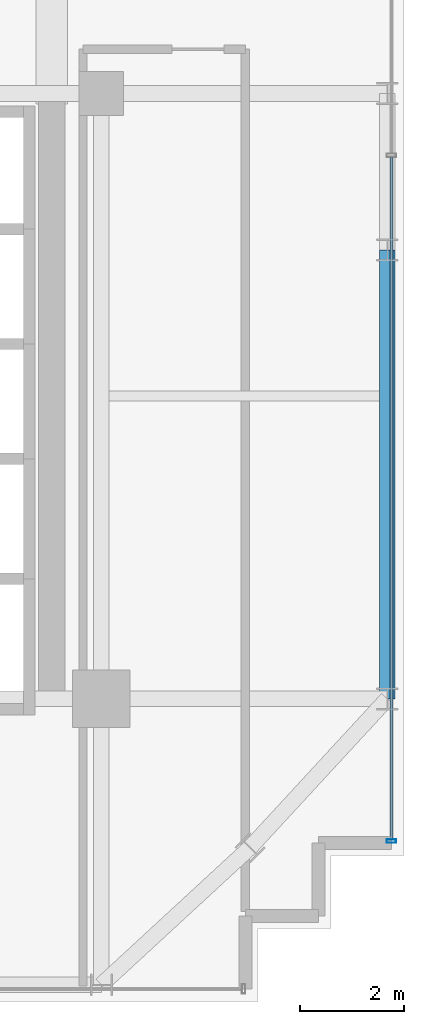
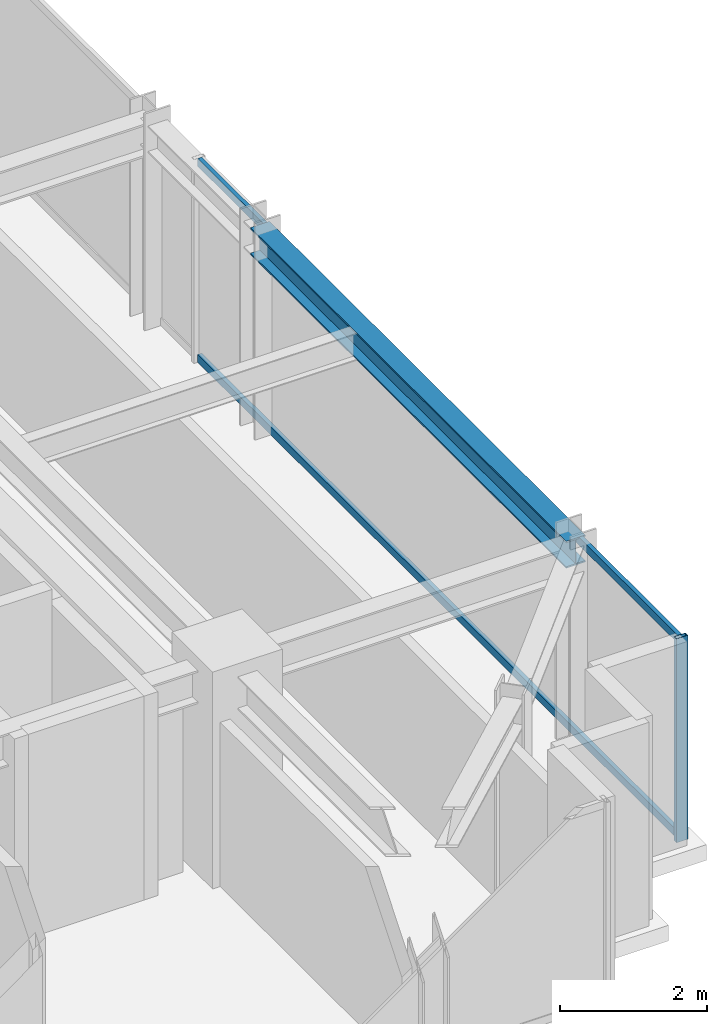
# One storey, part 14 of 31: 3 members, 1 beam, 1 element without a shape of its own.
"""IFC4 building model written with IfcOpenShell, lengths in metres."""

import ifcopenshell
import ifcopenshell.guid

model = None  # the IFC model being written
_history = None  # IfcOwnerHistory: only IFC2X3 demands one
_inside = {}  # id of a spatial element -> (the spatial element, [elements in it])
_under = {}  # id of a project, library or spatial element -> (it, [spatial elements below it])
_declared = {}  # id of a project -> (the project, [libraries it declares])
_typed = {}  # id of a type object -> (the type object, [elements of that type])
_made_of = {}  # id of a material, layer set ... -> (it, [elements and type objects made of it])


def new_model(schema):
    """Start an empty IFC model of exactly this schema.

    Asked for "IFC4X3", IfcOpenShell would pick the latest addendum, in which some entities
    have other attributes; the version numbers below select the first issue.
    IFC2X3 requires an IfcOwnerHistory on every rooted entity: one is made here for all.
    """
    global model, _history
    if schema == "IFC4X3":
        model = ifcopenshell.file(schema_version=(4, 3, 0, 0))
    else:
        model = ifcopenshell.file(schema=schema)
    _inside.clear()
    _under.clear()
    _declared.clear()
    _typed.clear()
    _made_of.clear()
    _history = None
    if model.schema == "IFC2X3":
        org = make("IfcOrganization", Name="unknown")
        user = make(
            "IfcPersonAndOrganization",
            ThePerson=make("IfcPerson", FamilyName="unknown"),
            TheOrganization=org,
        )
        app = make(
            "IfcApplication",
            ApplicationDeveloper=org,
            Version="unknown",
            ApplicationFullName="unknown",
            ApplicationIdentifier="unknown",
        )
        _history = make(
            "IfcOwnerHistory",
            OwningUser=user,
            OwningApplication=app,
            ChangeAction="ADDED",
            CreationDate=0,
        )
    return model


def make(cls, **values):
    """One entity of the class cls with the attributes given. An attribute that is None is left unset."""
    return model.create_entity(
        cls, **{name: value for name, value in values.items() if value is not None}
    )


def rooted(cls, **values):
    """An entity with a GlobalId (a new one), such as an element, a storey or a relation."""
    return make(cls, GlobalId=ifcopenshell.guid.new(), OwnerHistory=_history, **values)


def si_unit(unit_type, name, prefix=None):
    """IfcSIUnit, for example si_unit("LENGTHUNIT", "METRE", prefix="MILLI")."""
    return make("IfcSIUnit", UnitType=unit_type, Prefix=prefix, Name=name)


def assignment(units):
    """IfcUnitAssignment: the units of a project."""
    return None if units is None else make("IfcUnitAssignment", Units=units)


def point(xyz):
    """IfcCartesianPoint."""
    return None if xyz is None else make("IfcCartesianPoint", Coordinates=xyz)


def direction(xyz):
    """IfcDirection."""
    return None if xyz is None else make("IfcDirection", DirectionRatios=xyz)


def frame(location, z_axis=None, x_axis=None):
    """IfcAxis2Placement3D, a coordinate frame: its origin and axes. An axis left out is left unset."""
    return make(
        "IfcAxis2Placement3D",
        Location=point(location),
        Axis=direction(z_axis),
        RefDirection=direction(x_axis),
    )


def frame_2d(location, x_axis=None):
    """IfcAxis2Placement2D, a coordinate frame in the plane: its origin and x axis."""
    return make(
        "IfcAxis2Placement2D", Location=point(location), RefDirection=direction(x_axis)
    )


def origin():
    """The frame at (0, 0, 0) with its axes left unset."""
    return frame((0.0, 0.0, 0.0))


def origin_2d():
    """The frame at (0, 0) in the plane with its x axis left unset."""
    return frame_2d((0.0, 0.0))


def place(relative_to, where):
    """IfcLocalPlacement: puts the frame where relative to a parent placement (None: the world)."""
    return make(
        "IfcLocalPlacement", PlacementRelTo=relative_to, RelativePlacement=where
    )


def context(
    kind, dimensions, precision=None, world=None, true_north=None, identifier=None
):
    """IfcGeometricRepresentationContext, for example the 3D "Model" context."""
    return make(
        "IfcGeometricRepresentationContext",
        ContextIdentifier=identifier,
        ContextType=kind,
        CoordinateSpaceDimension=dimensions,
        Precision=precision,
        WorldCoordinateSystem=world,
        TrueNorth=true_north,
    )


def subcontext(parent, identifier, kind, view, scale=None):
    """IfcGeometricRepresentationSubContext, for example "Body" below "Model"."""
    return make(
        "IfcGeometricRepresentationSubContext",
        ContextIdentifier=identifier,
        ContextType=kind,
        ParentContext=parent,
        TargetScale=scale,
        TargetView=view,
    )


def project(units=None, contexts=None):
    """IfcProject with its units and contexts."""
    return rooted(
        "IfcProject",
        Name="project",
        RepresentationContexts=contexts,
        UnitsInContext=assignment(units),
    )


def spatial(cls, under=None, at=None, **own):
    """A site, building, storey or space (cls), placed at a placement, below another one or the project."""
    s = rooted(cls, ObjectPlacement=at, **own)
    if under is not None:
        _under.setdefault(under.id(), (under, []))[1].append(s)
    return s


def profile(cls, at=None, kind="AREA", **sizes):
    """A parametric profile (cls). Its sizes go by their IFC names, for example OverallWidth=200.0."""
    return make(cls, ProfileType=kind, Position=at, **sizes)


def hollow_rectangle(**sizes):
    """IfcRectangleHollowProfileDef."""
    return profile("IfcRectangleHollowProfileDef", **sizes)


def i_section(**sizes):
    """IfcIShapeProfileDef."""
    return profile("IfcIShapeProfileDef", **sizes)


def extrude(swept, where, along, depth):
    """IfcExtrudedAreaSolid: the profile swept, set in the frame where, extruded along a direction by depth."""
    return make(
        "IfcExtrudedAreaSolid",
        SweptArea=swept,
        Position=where,
        ExtrudedDirection=direction(along),
        Depth=depth,
    )


def shape(context_of_items, identifier, shape_type, items):
    """IfcShapeRepresentation: the items that make up one representation, for example the "Body"."""
    return make(
        "IfcShapeRepresentation",
        ContextOfItems=context_of_items,
        RepresentationIdentifier=identifier,
        RepresentationType=shape_type,
        Items=items,
    )


def source(mapping_origin, context_of_items, identifier, shape_type, items):
    """IfcRepresentationMap: a shape defined once, which mapped items show again and again."""
    return make(
        "IfcRepresentationMap",
        MappingOrigin=mapping_origin,
        MappedRepresentation=shape(context_of_items, identifier, shape_type, items),
    )


def transform(
    local_origin,
    x_axis=None,
    y_axis=None,
    z_axis=None,
    scale=None,
    scale2=None,
    scale3=None,
    uniform=True,
):
    """IfcCartesianTransformationOperator3D, or its non-uniform kind. x_axis, y_axis, z_axis: its Axis1, 2, 3."""
    if uniform:
        return make(
            "IfcCartesianTransformationOperator3D",
            Axis1=direction(x_axis),
            Axis2=direction(y_axis),
            LocalOrigin=point(local_origin),
            Scale=scale,
            Axis3=direction(z_axis),
        )
    return make(
        "IfcCartesianTransformationOperator3DnonUniform",
        Axis1=direction(x_axis),
        Axis2=direction(y_axis),
        LocalOrigin=point(local_origin),
        Scale=scale,
        Axis3=direction(z_axis),
        Scale2=scale2,
        Scale3=scale3,
    )


def mapped(mapping_source, mapping_target):
    """IfcMappedItem: shows the shape of a source again, moved by a transform."""
    return make(
        "IfcMappedItem", MappingSource=mapping_source, MappingTarget=mapping_target
    )


def material(Name=None, Category=None):
    """IfcMaterial."""
    return make("IfcMaterial", Name=Name, Category=Category)


def material_profile(
    of_material, cross_section, Name=None, Category=None, Priority=None
):
    """IfcMaterialProfile: a cross section and its material."""
    return make(
        "IfcMaterialProfile",
        Name=Name,
        Material=of_material,
        Profile=cross_section,
        Priority=Priority,
        Category=Category,
    )


def profile_set(profiles, Name=None, composite=None):
    """IfcMaterialProfileSet."""
    return make(
        "IfcMaterialProfileSet",
        Name=Name,
        MaterialProfiles=profiles,
        CompositeProfile=composite,
    )


def made_of(thing, what):
    """Note that an element or type object is made of a material, layer set ...; save() writes the relation."""
    if what is not None:
        _made_of.setdefault(what.id(), (what, []))[1].append(thing)
    return thing


def type_object(cls, material=None, **own):
    """A type object (cls), such as IfcWallType, which elements share."""
    return made_of(rooted(cls, **own), material)


def element(
    cls,
    number,
    at=None,
    inside=None,
    cuts=None,
    type_object=None,
    material=None,
    context=None,
    identifier="Body",
    shape_type=None,
    held_by="IfcProductDefinitionShape",
    body=None,
    shapes=None,
    **own,
):
    """One element of the class cls, such as IfcWall. Its Tag is "e" and its number.

    at: its placement. inside: the storey or other place that contains it. cuts: it is an
    opening in that element (IfcRelVoidsElement). A single representation is given by context,
    identifier, shape_type and body (its items); several are given by shapes. held_by: the class
    of the entity that holds the representations. save() writes the other relations.
    """
    e = rooted(cls, Tag="e%d" % number, ObjectPlacement=at, **own)
    if body is not None:
        shapes = [shape(context, identifier, shape_type, body)]
    if shapes is not None:
        e.Representation = make(held_by, Representations=shapes)
    if inside is not None:
        _inside.setdefault(inside.id(), (inside, []))[1].append(e)
    if cuts is not None:
        rooted(
            "IfcRelVoidsElement", RelatingBuildingElement=cuts, RelatedOpeningElement=e
        )
    if type_object is not None:
        _typed.setdefault(type_object.id(), (type_object, []))[1].append(e)
    return made_of(e, material)


def aggregate(whole, parts):
    """IfcRelAggregates: a whole, such as a stair, and the parts it consists of."""
    return rooted("IfcRelAggregates", RelatingObject=whole, RelatedObjects=parts)


def save(model, path):
    """Write the relations noted so far, then the file.

    IfcRelAggregates (storeys below a building ...), IfcRelContainedInSpatialStructure (elements
    in a storey), IfcRelDefinesByType, IfcRelAssociatesMaterial and IfcRelDeclares: one each for
    every whole, place, type object, material and project.
    """
    for whole, parts in _under.values():
        aggregate(whole, parts)
    for where, things in _inside.values():
        rooted(
            "IfcRelContainedInSpatialStructure",
            RelatedElements=things,
            RelatingStructure=where,
        )
    for kind, things in _typed.values():
        rooted("IfcRelDefinesByType", RelatedObjects=things, RelatingType=kind)
    for what, things in _made_of.values():
        rooted("IfcRelAssociatesMaterial", RelatedObjects=things, RelatingMaterial=what)
    for by, libraries in _declared.values():
        rooted("IfcRelDeclares", RelatingContext=by, RelatedDefinitions=libraries)
    model.write(path)


model = new_model("IFC4")

# Units and contexts
model_context = context("Model", 3, precision=1e-05, world=origin(), true_north=direction((0.0, 1.0)))
body_context = subcontext(model_context, "Body", "Model", "MODEL_VIEW")
ifc_project = project(units=[si_unit("LENGTHUNIT", "METRE"), si_unit("AREAUNIT", "SQUARE_METRE"), si_unit("VOLUMEUNIT", "CUBIC_METRE"), si_unit("PLANEANGLEUNIT", "RADIAN"), si_unit("MASSUNIT", "GRAM", prefix="KILO")], contexts=[model_context])

# Site, building, storey
site_placement = place(None, origin())
site = spatial("IfcSite", under=ifc_project, at=site_placement, CompositionType="ELEMENT")
building_placement = place(site_placement, origin())
building = spatial("IfcBuilding", under=site, at=building_placement, Name="Nahalor Promenade Grand Hotel", CompositionType="ELEMENT")
storey_placement = place(building_placement, frame((0.0, 0.0, 156.300048828125)))
storey = spatial("IfcBuildingStorey", under=building, at=storey_placement, Name="L39", CompositionType="ELEMENT", Elevation=156.300048828125)

# Beam
ifc_material_1 = material(Name="Steel S355JR", Category="steel")
ifc_material_profile_1 = material_profile(ifc_material_1, i_section(OverallWidth=0.3, OverallDepth=0.45, WebThickness=0.014, FlangeThickness=0.026, at=origin_2d()), Name="HEB 450")
ifc_profile_set_1 = profile_set([ifc_material_profile_1], Name="Steel S355JR")
beam_type = type_object("IfcBeamType", Name="Beam-Spandrel-HEB450", PredefinedType="SPANDREL", material=ifc_profile_set_1)
shared_shape_1 = source(origin(), body_context, "Body", "SweptSolid", [
    extrude(i_section(OverallWidth=0.3, OverallDepth=0.45, WebThickness=0.014, FlangeThickness=0.026, at=origin_2d()), origin(), (0.0, 0.0, 1.0), 8.60009765625),
])
beam_placement = place(storey_placement, frame((22.47998046875, -17.0, 3.1650390625), z_axis=(0.0, 1.0, 0.0), x_axis=(-1.0, 0.0, 0.0)))
element("IfcBeam", 1, at=beam_placement, inside=storey, type_object=beam_type, Name="BM-L39-SP-E-0", PredefinedType="SPANDREL", context=body_context, shape_type="MappedRepresentation", body=[
    mapped(shared_shape_1, transform((0.0, 0.0, 0.0), scale=1.0)),
])

# Curtain wall, members
ifc_material_2 = material(Name="Anodised Bronze Aluminium EN AW-6063 T6", Category="aluminium")
curtain_wall_type = type_object("IfcCurtainWallType", Name="CW2 Typical Hotel Flush Bronze Unitised Curtain Wall", PredefinedType="USERDEFINED", material=ifc_material_2)
curtain_wall_placement = place(storey_placement, origin())
curtain_wall = element("IfcCurtainWall", 2, at=curtain_wall_placement, inside=storey, type_object=curtain_wall_type, Name="L39 Curtain Wall CW-L39-E-1", ObjectType="UNITISED_CURTAIN_WALL", PredefinedType="USERDEFINED")
ifc_material_profile_2 = material_profile(ifc_material_2, hollow_rectangle(XDim=0.065, YDim=0.18, WallThickness=0.004, at=origin_2d()), Name="CWM 65x180x4")
ifc_profile_set_2 = profile_set([ifc_material_profile_2], Name="Anodised Bronze Aluminium EN AW-6063 T6")
member_type_1 = type_object("IfcMemberType", Name="CWM2 Typical Bronze Mullion 65x180", PredefinedType="MULLION", material=ifc_profile_set_2)
shared_shape_2 = source(origin(), body_context, "Body", "SweptSolid", [
    extrude(hollow_rectangle(XDim=0.065, YDim=0.18, WallThickness=0.004, at=origin_2d()), origin(), (0.0, 0.0, 1.0), 3.389892578125),
])
member_1_placement = place(storey_placement, frame((22.56005859375, -19.7275390625, 0.0), z_axis=(0.0, 0.0, 1.0), x_axis=(0.0, 1.0, 0.0)))
member_1 = element("IfcMember", 3, at=member_1_placement, type_object=member_type_1, Name="CW-L39-E-1 Mullion 0", PredefinedType="MULLION", context=body_context, shape_type="MappedRepresentation", body=[
    mapped(shared_shape_2, transform((0.0, 0.0, 0.0), scale=1.0)),
])
ifc_material_profile_3 = material_profile(ifc_material_2, hollow_rectangle(XDim=0.065, YDim=0.13, WallThickness=0.004, at=origin_2d()), Name="CWT 65x130x4")
ifc_profile_set_3 = profile_set([ifc_material_profile_3], Name="Anodised Bronze Aluminium EN AW-6063 T6")
member_type_2 = type_object("IfcMemberType", Name="CWT2 Typical Bronze Transom 65x130", PredefinedType="USERDEFINED", material=ifc_profile_set_3)
shared_shape_3 = source(origin(), body_context, "Body", "SweptSolid", [
    extrude(hollow_rectangle(XDim=0.065, YDim=0.13, WallThickness=0.004, at=origin_2d()), origin(), (0.0, 0.0, 1.0), 13.075927734375),
])
member_2_placement = place(storey_placement, frame((22.56005859375, -19.695068359375, 0.06494140625), z_axis=(0.0, 1.0, 0.0), x_axis=(-1.0, 0.0, 0.0)))
member_2 = element("IfcMember", 4, at=member_2_placement, type_object=member_type_2, Name="CW-L39-E-1 Transom 0-0", ObjectType="TRANSOM", PredefinedType="USERDEFINED", context=body_context, shape_type="MappedRepresentation", body=[
    mapped(shared_shape_3, transform((0.0, 0.0, 0.0), scale=1.0)),
])
member_3_placement = place(storey_placement, frame((22.56005859375, -19.695068359375, 3.324951171875), z_axis=(0.0, 1.0, 0.0), x_axis=(-1.0, 0.0, 0.0)))
member_3 = element("IfcMember", 5, at=member_3_placement, type_object=member_type_2, Name="CW-L39-E-1 Transom 0-1", ObjectType="TRANSOM", PredefinedType="USERDEFINED", context=body_context, shape_type="MappedRepresentation", body=[
    mapped(shared_shape_3, transform((0.0, 0.0, 0.0), scale=1.0)),
])
aggregate(curtain_wall, [member_1, member_2, member_3])

save(model, "model.ifc")
